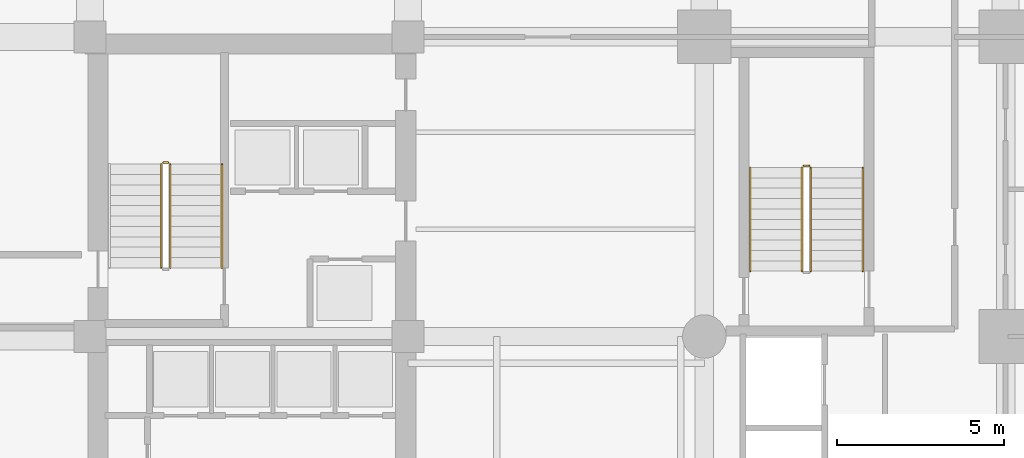
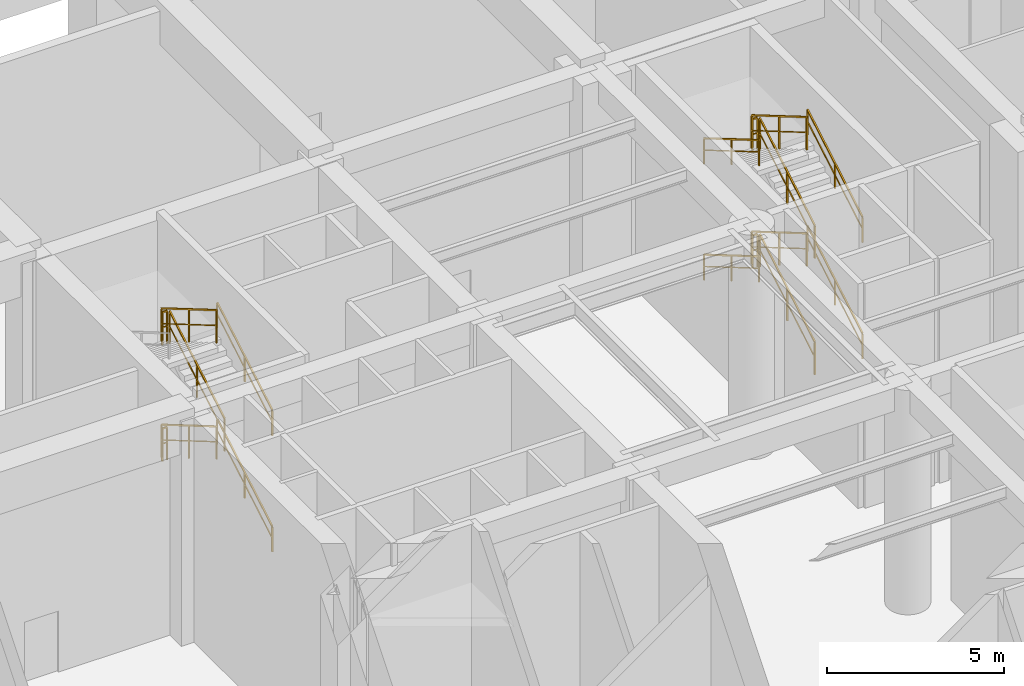
# One storey, part 9 of 10: 17 railings.
"""IFC4 building model written with IfcOpenShell, lengths in metres."""

from ifc_helpers import new_model, si_unit, direction, frame, origin, origin_2d, place, context, subcontext, project, spatial, rectangle, extrude, material, type_object, element, save


model = new_model("IFC4")

# Units and contexts
model_context = context("Model", 3, precision=1e-05, world=origin(), true_north=direction((0.0, 1.0)))
body_context = subcontext(model_context, "Body", "Model", "MODEL_VIEW")
ifc_project = project(units=[si_unit("LENGTHUNIT", "METRE"), si_unit("AREAUNIT", "SQUARE_METRE"), si_unit("VOLUMEUNIT", "CUBIC_METRE"), si_unit("PLANEANGLEUNIT", "RADIAN"), si_unit("MASSUNIT", "GRAM", prefix="KILO")], contexts=[model_context])

# Site, building, storey
site_placement = place(None, origin())
site = spatial("IfcSite", under=ifc_project, at=site_placement, CompositionType="ELEMENT")
building_placement = place(site_placement, origin())
building = spatial("IfcBuilding", under=site, at=building_placement, Name="Kundavana Baori Tower", CompositionType="ELEMENT")
storey_placement = place(building_placement, origin())
storey = spatial("IfcBuildingStorey", under=building, at=storey_placement, Name="L00", CompositionType="ELEMENT", Elevation=0.0)

# Railings
ifc_material_1 = material(Name="Architectural Patinated Bronze Metalwork")
railing_type_1 = type_object("IfcRailingType", Name="RL-GRD-1150", PredefinedType="GUARDRAIL", material=ifc_material_1)
railing_1_placement = place(storey_placement, frame((17.7900390625, 38.199951171875, 2.0)))
element("IfcRailing", 1, at=railing_1_placement, inside=storey, type_object=railing_type_1, Name="L00 ST2 stair guard 2", PredefinedType="GUARDRAIL", context=body_context, shape_type="SweptSolid", body=[
    extrude(rectangle(XDim=0.048095703125, YDim=0.048095703125, at=origin_2d()), frame((0.0, 0.0, 1.1259765625), z_axis=(-1.0, 0.0, 0.0), x_axis=(0.0, -1.0, 0.0)), (0.0, 0.0, 1.0), 0.16015625),
    extrude(rectangle(XDim=0.03125, YDim=0.03125, at=origin_2d()), frame((0.0, 0.0, 0.597900390625), z_axis=(-1.0, 0.0, 0.0), x_axis=(0.0, -1.0, 0.0)), (0.0, 0.0, 1.0), 0.16015625),
    extrude(rectangle(XDim=0.0419921875, YDim=0.0419921875, at=origin_2d()), origin(), (0.0, 0.0, 1.0), 1.101806640625),
    extrude(rectangle(XDim=0.0419921875, YDim=0.0419921875, at=origin_2d()), frame((-0.16015625, 0.0, 0.0)), (0.0, 0.0, 1.0), 1.101806640625),
])
railing_2_placement = place(storey_placement, frame((17.580078125, 38.14990234375, 2.181884765625)))
element("IfcRailing", 2, at=railing_2_placement, inside=storey, type_object=railing_type_1, Name="L00 ST2 stair guard 3", PredefinedType="GUARDRAIL", context=body_context, shape_type="SweptSolid", body=[
    extrude(rectangle(XDim=0.048095703125, YDim=0.048095703125, at=origin_2d()), frame((0.0, 0.0, 1.1259765625), z_axis=(0.0, -0.86258143422, 0.50591824373), x_axis=(1.0, 0.0, 0.0)), (0.0, 0.0, 1.0), 3.59375),
    extrude(rectangle(XDim=0.03125, YDim=0.03125, at=origin_2d()), frame((0.0, 0.0, 0.597900390625), z_axis=(0.0, -0.86258143422, 0.50591824373), x_axis=(1.0, 0.0, 0.0)), (0.0, 0.0, 1.0), 3.59375),
    extrude(rectangle(XDim=0.0419921875, YDim=0.0419921875, at=origin_2d()), origin(), (0.0, 0.0, 1.0), 1.101806640625),
    extrude(rectangle(XDim=0.0419921875, YDim=0.0419921875, at=origin_2d()), frame((0.0, -1.5498046875, 0.9091796875)), (0.0, 0.0, 1.0), 1.101806640625),
    extrude(rectangle(XDim=0.0419921875, YDim=0.0419921875, at=origin_2d()), frame((0.0, -3.099853515625, 1.818115234375)), (0.0, 0.0, 1.0), 1.101806640625),
])
railing_3_placement = place(storey_placement, frame((17.840087890625, 35.050048828125, 4.181884765625)))
element("IfcRailing", 3, at=railing_3_placement, inside=storey, type_object=railing_type_1, Name="L00 ST2 stair guard 5", PredefinedType="GUARDRAIL", context=body_context, shape_type="SweptSolid", body=[
    extrude(rectangle(XDim=0.048095703125, YDim=0.048095703125, at=origin_2d()), frame((0.0, 0.0, 1.1259765625), z_axis=(0.0, 0.86258143422, 0.50591824373), x_axis=(-1.0, 0.0, 0.0)), (0.0, 0.0, 1.0), 3.59375),
    extrude(rectangle(XDim=0.03125, YDim=0.03125, at=origin_2d()), frame((0.0, 0.0, 0.597900390625), z_axis=(0.0, 0.86258143422, 0.50591824373), x_axis=(-1.0, 0.0, 0.0)), (0.0, 0.0, 1.0), 3.59375),
    extrude(rectangle(XDim=0.0419921875, YDim=0.0419921875, at=origin_2d()), origin(), (0.0, 0.0, 1.0), 1.101806640625),
    extrude(rectangle(XDim=0.0419921875, YDim=0.0419921875, at=origin_2d()), frame((0.0, 1.5498046875, 0.9091796875)), (0.0, 0.0, 1.0), 1.101806640625),
    extrude(rectangle(XDim=0.0419921875, YDim=0.0419921875, at=origin_2d()), frame((0.0, 3.099853515625, 1.818115234375)), (0.0, 0.0, 1.0), 1.101806640625),
])
railing_4_placement = place(storey_placement, frame((17.7900390625, 38.199951171875, 6.0)))
element("IfcRailing", 4, at=railing_4_placement, inside=storey, type_object=railing_type_1, Name="L00 ST2 stair guard 6", PredefinedType="GUARDRAIL", context=body_context, shape_type="SweptSolid", body=[
    extrude(rectangle(XDim=0.048095703125, YDim=0.048095703125, at=origin_2d()), frame((0.0, 0.0, 1.1259765625), z_axis=(-1.0, 0.0, 0.0), x_axis=(0.0, -1.0, 0.0)), (0.0, 0.0, 1.0), 0.16015625),
    extrude(rectangle(XDim=0.03125, YDim=0.03125, at=origin_2d()), frame((0.0, 0.0, 0.597900390625), z_axis=(-1.0, 0.0, 0.0), x_axis=(0.0, -1.0, 0.0)), (0.0, 0.0, 1.0), 0.16015625),
    extrude(rectangle(XDim=0.0419921875, YDim=0.0419921875, at=origin_2d()), origin(), (0.0, 0.0, 1.0), 1.101806640625),
    extrude(rectangle(XDim=0.0419921875, YDim=0.0419921875, at=origin_2d()), frame((-0.16015625, 0.0, 0.0)), (0.0, 0.0, 1.0), 1.101806640625),
])
railing_5_placement = place(storey_placement, frame((17.580078125, 38.14990234375, 6.181884765625)))
element("IfcRailing", 5, at=railing_5_placement, inside=storey, type_object=railing_type_1, Name="L00 ST2 stair guard 7", PredefinedType="GUARDRAIL", context=body_context, shape_type="SweptSolid", body=[
    extrude(rectangle(XDim=0.048095703125, YDim=0.048095703125, at=origin_2d()), frame((0.0, 0.0, 1.1259765625), z_axis=(0.0, -0.86258143422, 0.50591824373), x_axis=(1.0, 0.0, 0.0)), (0.0, 0.0, 1.0), 3.59375),
    extrude(rectangle(XDim=0.03125, YDim=0.03125, at=origin_2d()), frame((0.0, 0.0, 0.597900390625), z_axis=(0.0, -0.86258143422, 0.50591824373), x_axis=(1.0, 0.0, 0.0)), (0.0, 0.0, 1.0), 3.59375),
    extrude(rectangle(XDim=0.0419921875, YDim=0.0419921875, at=origin_2d()), origin(), (0.0, 0.0, 1.0), 1.101806640625),
    extrude(rectangle(XDim=0.0419921875, YDim=0.0419921875, at=origin_2d()), frame((0.0, -1.5498046875, 0.9091796875)), (0.0, 0.0, 1.0), 1.101806640625),
    extrude(rectangle(XDim=0.0419921875, YDim=0.0419921875, at=origin_2d()), frame((0.0, -3.099853515625, 1.818115234375)), (0.0, 0.0, 1.0), 1.101806640625),
])
railing_6_placement = place(storey_placement, frame((36.97998046875, 34.949951171875, 0.181884765625)))
element("IfcRailing", 6, at=railing_6_placement, inside=storey, type_object=railing_type_1, Name="L00 ST3 stair guard 1", PredefinedType="GUARDRAIL", context=body_context, shape_type="SweptSolid", body=[
    extrude(rectangle(XDim=0.048095703125, YDim=0.048095703125, at=origin_2d()), frame((0.0, 0.0, 1.1259765625), z_axis=(0.0, 0.862598821094, 0.505888598258), x_axis=(-1.0, 0.0, 0.0)), (0.0, 0.0, 1.0), 3.593994140625),
    extrude(rectangle(XDim=0.03125, YDim=0.03125, at=origin_2d()), frame((0.0, 0.0, 0.597900390625), z_axis=(0.0, 0.862598821094, 0.505888598258), x_axis=(-1.0, 0.0, 0.0)), (0.0, 0.0, 1.0), 3.593994140625),
    extrude(rectangle(XDim=0.0419921875, YDim=0.0419921875, at=origin_2d()), origin(), (0.0, 0.0, 1.0), 1.101806640625),
    extrude(rectangle(XDim=0.0419921875, YDim=0.0419921875, at=origin_2d()), frame((0.0, 1.550048828125, 0.9091796875)), (0.0, 0.0, 1.0), 1.101806640625),
    extrude(rectangle(XDim=0.0419921875, YDim=0.0419921875, at=origin_2d()), frame((0.0, 3.10009765625, 1.818115234375)), (0.0, 0.0, 1.0), 1.101806640625),
])
railing_7_placement = place(storey_placement, frame((36.929931640625, 38.10009765625, 2.0)))
element("IfcRailing", 7, at=railing_7_placement, inside=storey, type_object=railing_type_1, Name="L00 ST3 stair guard 2", PredefinedType="GUARDRAIL", context=body_context, shape_type="SweptSolid", body=[
    extrude(rectangle(XDim=0.048095703125, YDim=0.048095703125, at=origin_2d()), frame((0.0, 0.0, 1.1259765625), z_axis=(-1.0, 0.0, 0.0), x_axis=(0.0, -1.0, 0.0)), (0.0, 0.0, 1.0), 0.159912109375),
    extrude(rectangle(XDim=0.03125, YDim=0.03125, at=origin_2d()), frame((0.0, 0.0, 0.597900390625), z_axis=(-1.0, 0.0, 0.0), x_axis=(0.0, -1.0, 0.0)), (0.0, 0.0, 1.0), 0.159912109375),
    extrude(rectangle(XDim=0.0419921875, YDim=0.0419921875, at=origin_2d()), origin(), (0.0, 0.0, 1.0), 1.101806640625),
    extrude(rectangle(XDim=0.0419921875, YDim=0.0419921875, at=origin_2d()), frame((-0.159912109375, 0.0, 0.0)), (0.0, 0.0, 1.0), 1.101806640625),
])
railing_8_placement = place(storey_placement, frame((36.719970703125, 38.050048828125, 2.181884765625)))
element("IfcRailing", 8, at=railing_8_placement, inside=storey, type_object=railing_type_1, Name="L00 ST3 stair guard 3", PredefinedType="GUARDRAIL", context=body_context, shape_type="SweptSolid", body=[
    extrude(rectangle(XDim=0.048095703125, YDim=0.048095703125, at=origin_2d()), frame((0.0, 0.0, 1.1259765625), z_axis=(0.0, -0.862598821094, 0.505888598258), x_axis=(1.0, 0.0, 0.0)), (0.0, 0.0, 1.0), 3.593994140625),
    extrude(rectangle(XDim=0.03125, YDim=0.03125, at=origin_2d()), frame((0.0, 0.0, 0.597900390625), z_axis=(0.0, -0.862598821094, 0.505888598258), x_axis=(1.0, 0.0, 0.0)), (0.0, 0.0, 1.0), 3.593994140625),
    extrude(rectangle(XDim=0.0419921875, YDim=0.0419921875, at=origin_2d()), origin(), (0.0, 0.0, 1.0), 1.101806640625),
    extrude(rectangle(XDim=0.0419921875, YDim=0.0419921875, at=origin_2d()), frame((0.0, -1.550048828125, 0.9091796875)), (0.0, 0.0, 1.0), 1.101806640625),
    extrude(rectangle(XDim=0.0419921875, YDim=0.0419921875, at=origin_2d()), frame((0.0, -3.10009765625, 1.818115234375)), (0.0, 0.0, 1.0), 1.101806640625),
])
railing_9_placement = place(storey_placement, frame((36.97998046875, 34.949951171875, 4.181884765625)))
element("IfcRailing", 9, at=railing_9_placement, inside=storey, type_object=railing_type_1, Name="L00 ST3 stair guard 5", PredefinedType="GUARDRAIL", context=body_context, shape_type="SweptSolid", body=[
    extrude(rectangle(XDim=0.048095703125, YDim=0.048095703125, at=origin_2d()), frame((0.0, 0.0, 1.1259765625), z_axis=(0.0, 0.862598821094, 0.505888598258), x_axis=(-1.0, 0.0, 0.0)), (0.0, 0.0, 1.0), 3.593994140625),
    extrude(rectangle(XDim=0.03125, YDim=0.03125, at=origin_2d()), frame((0.0, 0.0, 0.597900390625), z_axis=(0.0, 0.862598821094, 0.505888598258), x_axis=(-1.0, 0.0, 0.0)), (0.0, 0.0, 1.0), 3.593994140625),
    extrude(rectangle(XDim=0.0419921875, YDim=0.0419921875, at=origin_2d()), origin(), (0.0, 0.0, 1.0), 1.101806640625),
    extrude(rectangle(XDim=0.0419921875, YDim=0.0419921875, at=origin_2d()), frame((0.0, 1.550048828125, 0.9091796875)), (0.0, 0.0, 1.0), 1.101806640625),
    extrude(rectangle(XDim=0.0419921875, YDim=0.0419921875, at=origin_2d()), frame((0.0, 3.10009765625, 1.818115234375)), (0.0, 0.0, 1.0), 1.101806640625),
])
railing_10_placement = place(storey_placement, frame((36.929931640625, 38.10009765625, 6.0)))
element("IfcRailing", 10, at=railing_10_placement, inside=storey, type_object=railing_type_1, Name="L00 ST3 stair guard 6", PredefinedType="GUARDRAIL", context=body_context, shape_type="SweptSolid", body=[
    extrude(rectangle(XDim=0.048095703125, YDim=0.048095703125, at=origin_2d()), frame((0.0, 0.0, 1.1259765625), z_axis=(-1.0, 0.0, 0.0), x_axis=(0.0, -1.0, 0.0)), (0.0, 0.0, 1.0), 0.159912109375),
    extrude(rectangle(XDim=0.03125, YDim=0.03125, at=origin_2d()), frame((0.0, 0.0, 0.597900390625), z_axis=(-1.0, 0.0, 0.0), x_axis=(0.0, -1.0, 0.0)), (0.0, 0.0, 1.0), 0.159912109375),
    extrude(rectangle(XDim=0.0419921875, YDim=0.0419921875, at=origin_2d()), origin(), (0.0, 0.0, 1.0), 1.101806640625),
    extrude(rectangle(XDim=0.0419921875, YDim=0.0419921875, at=origin_2d()), frame((-0.159912109375, 0.0, 0.0)), (0.0, 0.0, 1.0), 1.101806640625),
])
railing_11_placement = place(storey_placement, frame((36.719970703125, 38.050048828125, 6.181884765625)))
element("IfcRailing", 11, at=railing_11_placement, inside=storey, type_object=railing_type_1, Name="L00 ST3 stair guard 7", PredefinedType="GUARDRAIL", context=body_context, shape_type="SweptSolid", body=[
    extrude(rectangle(XDim=0.048095703125, YDim=0.048095703125, at=origin_2d()), frame((0.0, 0.0, 1.1259765625), z_axis=(0.0, -0.862598821094, 0.505888598258), x_axis=(1.0, 0.0, 0.0)), (0.0, 0.0, 1.0), 3.593994140625),
    extrude(rectangle(XDim=0.03125, YDim=0.03125, at=origin_2d()), frame((0.0, 0.0, 0.597900390625), z_axis=(0.0, -0.862598821094, 0.505888598258), x_axis=(1.0, 0.0, 0.0)), (0.0, 0.0, 1.0), 3.593994140625),
    extrude(rectangle(XDim=0.0419921875, YDim=0.0419921875, at=origin_2d()), origin(), (0.0, 0.0, 1.0), 1.101806640625),
    extrude(rectangle(XDim=0.0419921875, YDim=0.0419921875, at=origin_2d()), frame((0.0, -1.550048828125, 0.9091796875)), (0.0, 0.0, 1.0), 1.101806640625),
    extrude(rectangle(XDim=0.0419921875, YDim=0.0419921875, at=origin_2d()), frame((0.0, -3.10009765625, 1.818115234375)), (0.0, 0.0, 1.0), 1.101806640625),
])
ifc_material_2 = material(Name="Architectural Patinated Bronze Metalwork")
railing_type_2 = type_object("IfcRailingType", Name="RL-HND-920", PredefinedType="HANDRAIL", material=ifc_material_2)
for number, where, name in (
    (12, (19.389892578125, 35.050048828125, 0.181884765625), "L00 ST2 stair handrail 1"),
    (13, (19.389892578125, 35.050048828125, 4.181884765625), "L00 ST2 stair handrail 3"),
):
    element("IfcRailing", number, at=place(storey_placement, frame(where)), inside=storey, type_object=railing_type_2, Name=name, PredefinedType="HANDRAIL", context=body_context, shape_type="SweptSolid", body=[
        extrude(rectangle(XDim=0.048095703125, YDim=0.048095703125, at=origin_2d()), frame((0.0, 0.0, 0.8759765625), z_axis=(0.0, 0.86258143422, 0.50591824373), x_axis=(-1.0, 0.0, 0.0)), (0.0, 0.0, 1.0), 3.59375),
        extrude(rectangle(XDim=0.03125, YDim=0.03125, at=origin_2d()), frame((0.0, 0.0, 0.468017578125), z_axis=(0.0, 0.86258143422, 0.50591824373), x_axis=(-1.0, 0.0, 0.0)), (0.0, 0.0, 1.0), 3.59375),
        extrude(rectangle(XDim=0.0419921875, YDim=0.0419921875, at=origin_2d()), origin(), (0.0, 0.0, 1.0), 0.851806640625),
        extrude(rectangle(XDim=0.0419921875, YDim=0.0419921875, at=origin_2d()), frame((0.0, 1.5498046875, 0.9091796875)), (0.0, 0.0, 1.0), 0.851806640625),
        extrude(rectangle(XDim=0.0419921875, YDim=0.0419921875, at=origin_2d()), frame((0.0, 3.099853515625, 1.818115234375)), (0.0, 0.0, 1.0), 0.851806640625),
    ])
railing_12_placement = place(storey_placement, frame((38.530029296875, 34.949951171875, 0.181884765625)))
element("IfcRailing", 14, at=railing_12_placement, inside=storey, type_object=railing_type_2, Name="L00 ST3 stair handrail 1", PredefinedType="HANDRAIL", context=body_context, shape_type="SweptSolid", body=[
    extrude(rectangle(XDim=0.048095703125, YDim=0.048095703125, at=origin_2d()), frame((0.0, 0.0, 0.8759765625), z_axis=(0.0, 0.862598821094, 0.505888598258), x_axis=(-1.0, 0.0, 0.0)), (0.0, 0.0, 1.0), 3.593994140625),
    extrude(rectangle(XDim=0.03125, YDim=0.03125, at=origin_2d()), frame((0.0, 0.0, 0.468017578125), z_axis=(0.0, 0.862598821094, 0.505888598258), x_axis=(-1.0, 0.0, 0.0)), (0.0, 0.0, 1.0), 3.593994140625),
    extrude(rectangle(XDim=0.0419921875, YDim=0.0419921875, at=origin_2d()), origin(), (0.0, 0.0, 1.0), 0.851806640625),
    extrude(rectangle(XDim=0.0419921875, YDim=0.0419921875, at=origin_2d()), frame((0.0, 1.550048828125, 0.9091796875)), (0.0, 0.0, 1.0), 0.851806640625),
    extrude(rectangle(XDim=0.0419921875, YDim=0.0419921875, at=origin_2d()), frame((0.0, 3.10009765625, 1.818115234375)), (0.0, 0.0, 1.0), 0.851806640625),
])
railing_13_placement = place(storey_placement, frame((35.169921875, 38.050048828125, 2.181884765625)))
element("IfcRailing", 15, at=railing_13_placement, inside=storey, type_object=railing_type_2, Name="L00 ST3 stair handrail 2", PredefinedType="HANDRAIL", context=body_context, shape_type="SweptSolid", body=[
    extrude(rectangle(XDim=0.048095703125, YDim=0.048095703125, at=origin_2d()), frame((0.0, 0.0, 0.8759765625), z_axis=(0.0, -0.862598821094, 0.505888598258), x_axis=(1.0, 0.0, 0.0)), (0.0, 0.0, 1.0), 3.593994140625),
    extrude(rectangle(XDim=0.03125, YDim=0.03125, at=origin_2d()), frame((0.0, 0.0, 0.468017578125), z_axis=(0.0, -0.862598821094, 0.505888598258), x_axis=(1.0, 0.0, 0.0)), (0.0, 0.0, 1.0), 3.593994140625),
    extrude(rectangle(XDim=0.0419921875, YDim=0.0419921875, at=origin_2d()), origin(), (0.0, 0.0, 1.0), 0.851806640625),
    extrude(rectangle(XDim=0.0419921875, YDim=0.0419921875, at=origin_2d()), frame((0.0, -1.550048828125, 0.9091796875)), (0.0, 0.0, 1.0), 0.851806640625),
    extrude(rectangle(XDim=0.0419921875, YDim=0.0419921875, at=origin_2d()), frame((0.0, -3.10009765625, 1.818115234375)), (0.0, 0.0, 1.0), 0.851806640625),
])
railing_14_placement = place(storey_placement, frame((38.530029296875, 34.949951171875, 4.181884765625)))
element("IfcRailing", 16, at=railing_14_placement, inside=storey, type_object=railing_type_2, Name="L00 ST3 stair handrail 3", PredefinedType="HANDRAIL", context=body_context, shape_type="SweptSolid", body=[
    extrude(rectangle(XDim=0.048095703125, YDim=0.048095703125, at=origin_2d()), frame((0.0, 0.0, 0.8759765625), z_axis=(0.0, 0.862598821094, 0.505888598258), x_axis=(-1.0, 0.0, 0.0)), (0.0, 0.0, 1.0), 3.593994140625),
    extrude(rectangle(XDim=0.03125, YDim=0.03125, at=origin_2d()), frame((0.0, 0.0, 0.468017578125), z_axis=(0.0, 0.862598821094, 0.505888598258), x_axis=(-1.0, 0.0, 0.0)), (0.0, 0.0, 1.0), 3.593994140625),
    extrude(rectangle(XDim=0.0419921875, YDim=0.0419921875, at=origin_2d()), origin(), (0.0, 0.0, 1.0), 0.851806640625),
    extrude(rectangle(XDim=0.0419921875, YDim=0.0419921875, at=origin_2d()), frame((0.0, 1.550048828125, 0.9091796875)), (0.0, 0.0, 1.0), 0.851806640625),
    extrude(rectangle(XDim=0.0419921875, YDim=0.0419921875, at=origin_2d()), frame((0.0, 3.10009765625, 1.818115234375)), (0.0, 0.0, 1.0), 0.851806640625),
])
railing_15_placement = place(storey_placement, frame((35.169921875, 38.050048828125, 6.181884765625)))
element("IfcRailing", 17, at=railing_15_placement, inside=storey, type_object=railing_type_2, Name="L00 ST3 stair handrail 4", PredefinedType="HANDRAIL", context=body_context, shape_type="SweptSolid", body=[
    extrude(rectangle(XDim=0.048095703125, YDim=0.048095703125, at=origin_2d()), frame((0.0, 0.0, 0.8759765625), z_axis=(0.0, -0.862598821094, 0.505888598258), x_axis=(1.0, 0.0, 0.0)), (0.0, 0.0, 1.0), 3.593994140625),
    extrude(rectangle(XDim=0.03125, YDim=0.03125, at=origin_2d()), frame((0.0, 0.0, 0.468017578125), z_axis=(0.0, -0.862598821094, 0.505888598258), x_axis=(1.0, 0.0, 0.0)), (0.0, 0.0, 1.0), 3.593994140625),
    extrude(rectangle(XDim=0.0419921875, YDim=0.0419921875, at=origin_2d()), origin(), (0.0, 0.0, 1.0), 0.851806640625),
    extrude(rectangle(XDim=0.0419921875, YDim=0.0419921875, at=origin_2d()), frame((0.0, -1.550048828125, 0.9091796875)), (0.0, 0.0, 1.0), 0.851806640625),
    extrude(rectangle(XDim=0.0419921875, YDim=0.0419921875, at=origin_2d()), frame((0.0, -3.10009765625, 1.818115234375)), (0.0, 0.0, 1.0), 0.851806640625),
])

save(model, "model.ifc")
